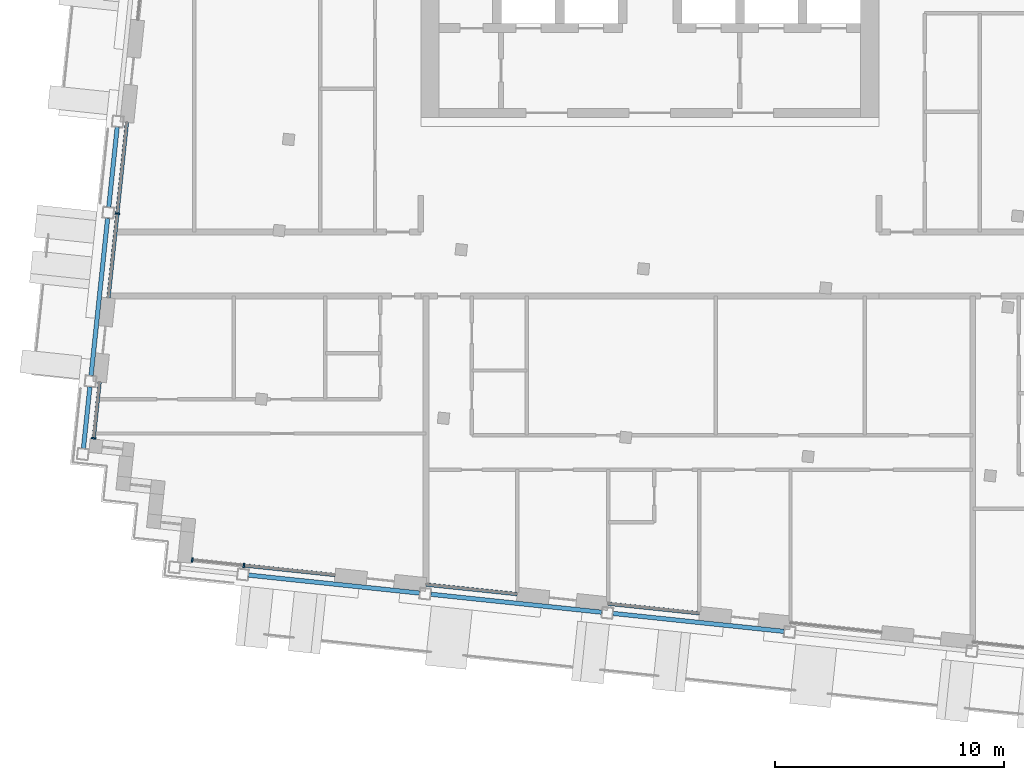
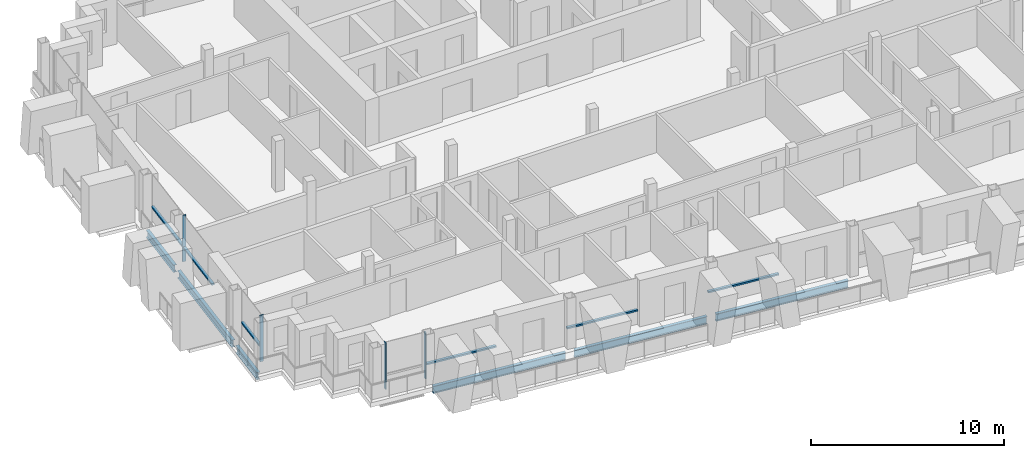
# One storey, part 2 of 16: 10 members, 6 beams, 5 elements without a shape of their own.
"""IFC4 building model written with IfcOpenShell, lengths in metres."""

from ifc_helpers import new_model, si_unit, direction, frame, origin, origin_2d, place, context, subcontext, project, spatial, rectangle, i_section, extrude, material, material_profile, profile_set, type_object, element, aggregate, save


model = new_model("IFC4")

# Units and contexts
model_context = context("Model", 3, precision=1e-05, world=origin(), true_north=direction((0.0, 1.0)))
body_context = subcontext(model_context, "Body", "Model", "MODEL_VIEW")
ifc_project = project(units=[si_unit("LENGTHUNIT", "METRE"), si_unit("AREAUNIT", "SQUARE_METRE"), si_unit("VOLUMEUNIT", "CUBIC_METRE"), si_unit("PLANEANGLEUNIT", "RADIAN"), si_unit("MASSUNIT", "GRAM", prefix="KILO")], contexts=[model_context])

# Site, building, storey
site_placement = place(None, origin())
site = spatial("IfcSite", under=ifc_project, at=site_placement, CompositionType="ELEMENT")
building_placement = place(site_placement, origin())
building = spatial("IfcBuilding", under=site, at=building_placement, Name="Vidyagriha Tower", CompositionType="ELEMENT")
storey_placement = place(building_placement, frame((0.0, 0.0, 253.10009765625)))
storey = spatial("IfcBuildingStorey", under=building, at=storey_placement, Name="L65", CompositionType="ELEMENT", Elevation=253.10009765625)

# Beams
ifc_material_1 = material(Name="Steel ASTM A992 Grade 50", Category="steel")
ifc_material_profile_1 = material_profile(ifc_material_1, i_section(OverallWidth=0.19189453125, OverallDepth=0.46240234375, WebThickness=0.010498046875, FlangeThickness=0.017578125, at=origin_2d()), Name="W18X60")
ifc_profile_set_1 = profile_set([ifc_material_profile_1], Name="Steel ASTM A992 Grade 50")
beam_type = type_object("IfcBeamType", Name="Edge beam W18X60", PredefinedType="SPANDREL", material=ifc_profile_set_1)
for number, where, z_axis, x_axis, name in (
    (1, (-17.519775390625, -13.582275390625, -0.51123046875), (0.994522384662, -0.104523807841, 0.0), (0.104523807841, 0.994522384662, 0.0), "st-beam-L65-S02"),
    (2, (-9.563720703125, -14.418701171875, -0.51123046875), (0.994525767953, -0.104491611519, 0.0), (0.104491611519, 0.994525767953, 0.0), "st-beam-L65-S03"),
    (3, (-1.607421875, -15.2548828125, -0.51123046875), (0.994522384662, -0.104523807841, 0.0), (0.104523807841, 0.994522384662, 0.0), "st-beam-L65-S04"),
):
    element("IfcBeam", number, at=place(storey_placement, frame(where, z_axis=z_axis, x_axis=x_axis)), inside=storey, type_object=beam_type, Name=name, PredefinedType="SPANDREL", context=body_context, shape_type="SweptSolid", body=[
        extrude(i_section(OverallWidth=0.19189453125, OverallDepth=0.46240234375, WebThickness=0.010498046875, FlangeThickness=0.017578125, at=origin_2d()), origin(), (0.0, 0.0, 1.0), 7.5),
    ])
beam_1_placement = place(storey_placement, frame((-24.730712890625, -8.04833984375, -0.51123046875), z_axis=(0.104524753323, 0.994522285292, 0.0), x_axis=(-0.994522285292, 0.104524753323, 0.0)))
element("IfcBeam", 4, at=beam_1_placement, inside=storey, type_object=beam_type, Name="st-beam-L65-W08", PredefinedType="SPANDREL", context=body_context, shape_type="SweptSolid", body=[
    extrude(i_section(OverallWidth=0.19189453125, OverallDepth=0.46240234375, WebThickness=0.010498046875, FlangeThickness=0.017578125, at=origin_2d()), origin(), (0.0, 0.0, 1.0), 2.7001953125),
])
beam_2_placement = place(storey_placement, frame((-24.396484375, -4.86572265625, -0.51123046875), z_axis=(0.104557694553, 0.994518822602, 0.0), x_axis=(-0.994518822602, 0.104557694553, 0.0)))
element("IfcBeam", 5, at=beam_2_placement, inside=storey, type_object=beam_type, Name="st-beam-L65-W09", PredefinedType="SPANDREL", context=body_context, shape_type="SweptSolid", body=[
    extrude(i_section(OverallWidth=0.19189453125, OverallDepth=0.46240234375, WebThickness=0.010498046875, FlangeThickness=0.017578125, at=origin_2d()), origin(), (0.0, 0.0, 1.0), 6.89990234375),
])
beam_3_placement = place(storey_placement, frame((-23.622802734375, 2.49365234375, -0.51123046875), z_axis=(0.104488712073, 0.994526072584, 0.0), x_axis=(-0.994526072584, 0.104488712073, 0.0)))
element("IfcBeam", 6, at=beam_3_placement, inside=storey, type_object=beam_type, Name="st-beam-L65-W10", PredefinedType="SPANDREL", context=body_context, shape_type="SweptSolid", body=[
    extrude(i_section(OverallWidth=0.19189453125, OverallDepth=0.46240234375, WebThickness=0.010498046875, FlangeThickness=0.017578125, at=origin_2d()), origin(), (0.0, 0.0, 1.0), 3.5),
])

# Curtain wall, member
ifc_material_2 = material(Name="Aluminium and glass curtain wall", Category="aluminium")
curtain_wall_type = type_object("IfcCurtainWallType", Name="Dwelling skin unitised curtain wall", PredefinedType="USERDEFINED", material=ifc_material_2)
curtain_wall_1_placement = place(storey_placement, origin())
curtain_wall_1 = element("IfcCurtainWall", 7, at=curtain_wall_1_placement, inside=storey, type_object=curtain_wall_type, Name="CW1 dwelling skin", ObjectType="UNITISED", PredefinedType="USERDEFINED")
ifc_material_3 = material(Name="Aluminium black anodised", Category="aluminium")
ifc_material_profile_2 = material_profile(ifc_material_3, rectangle(XDim=0.199951171875, YDim=0.070068359375, at=origin_2d()), Name="Mullion 70x200 black aluminium")
ifc_profile_set_2 = profile_set([ifc_material_profile_2], Name="Aluminium black anodised")
member_type_1 = type_object("IfcMemberType", Name="Mullion 70x200 black aluminium", PredefinedType="MULLION", material=ifc_profile_set_2)
member_1_placement = place(storey_placement, frame((-23.251220703125, 2.203369140625, 0.0), z_axis=(0.0, 0.0, 1.0), x_axis=(0.994521452706, -0.10453267483, 0.0)))
member_1 = element("IfcMember", 8, at=member_1_placement, type_object=member_type_1, Name="CW1 mullion 2", PredefinedType="MULLION", context=body_context, shape_type="SweptSolid", body=[
    extrude(rectangle(XDim=0.199951171875, YDim=0.070068359375, at=origin_2d()), origin(), (0.0, 0.0, 1.0), 2.919921875),
])

curtain_wall_2_placement = place(storey_placement, origin())
curtain_wall_2 = element("IfcCurtainWall", 9, at=curtain_wall_2_placement, inside=storey, type_object=curtain_wall_type, Name="CW1 dwelling skin", ObjectType="UNITISED", PredefinedType="USERDEFINED")
member_2_placement = place(storey_placement, frame((-24.2822265625, -7.60791015625, 0.0), z_axis=(0.0, 0.0, 1.0), x_axis=(0.994523191389, -0.10451613172, 0.0)))
member_2 = element("IfcMember", 10, at=member_2_placement, type_object=member_type_1, Name="CW1 mullion 2", PredefinedType="MULLION", context=body_context, shape_type="SweptSolid", body=[
    extrude(rectangle(XDim=0.199951171875, YDim=0.070068359375, at=origin_2d()), origin(), (0.0, 0.0, 1.0), 2.919921875),
])

# Curtain wall, members
curtain_wall_3_placement = place(storey_placement, origin())
curtain_wall_3 = element("IfcCurtainWall", 11, at=curtain_wall_3_placement, inside=storey, type_object=curtain_wall_type, Name="CW1 dwelling skin", ObjectType="UNITISED", PredefinedType="USERDEFINED")
member_3_placement = place(storey_placement, frame((-19.979248046875, -12.921630859375, 0.0), z_axis=(0.0, 0.0, 1.0), x_axis=(0.104523661385, 0.994522400055, 0.0)))
member_3 = element("IfcMember", 12, at=member_3_placement, type_object=member_type_1, Name="CW1 mullion 1", PredefinedType="MULLION", context=body_context, shape_type="SweptSolid", body=[
    extrude(rectangle(XDim=0.199951171875, YDim=0.070068359375, at=origin_2d()), origin(), (0.0, 0.0, 1.0), 2.919921875),
])
member_4_placement = place(storey_placement, frame((-17.7265625, -13.158447265625, 0.0), z_axis=(0.0, 0.0, 1.0), x_axis=(0.104523661385, 0.994522400055, 0.0)))
member_4 = element("IfcMember", 13, at=member_4_placement, type_object=member_type_1, Name="CW1 mullion 2", PredefinedType="MULLION", context=body_context, shape_type="SweptSolid", body=[
    extrude(rectangle(XDim=0.199951171875, YDim=0.070068359375, at=origin_2d()), origin(), (0.0, 0.0, 1.0), 2.919921875),
])

# Member
ifc_material_4 = material(Name="Aluminium black anodised", Category="aluminium")
ifc_material_profile_3 = material_profile(ifc_material_4, rectangle(XDim=0.159912109375, YDim=0.10009765625, at=origin_2d()), Name="Transom 100x160 black aluminium")
ifc_profile_set_3 = profile_set([ifc_material_profile_3], Name="Aluminium black anodised")
member_type_2 = type_object("IfcMemberType", Name="Transom 100x160 black aluminium", PredefinedType="USERDEFINED", material=ifc_profile_set_3)
member_5_placement = place(storey_placement, frame((-22.8330078125, 6.181396484375, 0.89990234375), z_axis=(-0.104550167438, -0.994519613929, 0.0), x_axis=(0.994519613929, -0.104550167438, 0.0)))
member_5 = element("IfcMember", 14, at=member_5_placement, type_object=member_type_2, Name="CW1 transom 1.1", ObjectType="TRANSOM", PredefinedType="USERDEFINED", context=body_context, shape_type="SweptSolid", body=[
    extrude(rectangle(XDim=0.159912109375, YDim=0.10009765625, at=origin_2d()), origin(), (0.0, 0.0, 1.0), 3.965087890625),
])

member_6_placement = place(storey_placement, frame((-23.2548828125, 2.16845703125, 0.89990234375), z_axis=(-0.104521800028, -0.99452259568, 0.0), x_axis=(0.99452259568, -0.104521800028, 0.0)))
member_6 = element("IfcMember", 15, at=member_6_placement, type_object=member_type_2, Name="CW1 transom 2.1", ObjectType="TRANSOM", PredefinedType="USERDEFINED", context=body_context, shape_type="SweptSolid", body=[
    extrude(rectangle(XDim=0.159912109375, YDim=0.10009765625, at=origin_2d()), origin(), (0.0, 0.0, 1.0), 3.664794921875),
])

aggregate(curtain_wall_1, [member_1, member_5, member_6])

member_7_placement = place(storey_placement, frame((-24.024658203125, -5.15625, 0.89990234375), z_axis=(-0.104486049741, -0.994526352295, 0.0), x_axis=(0.994526352295, -0.104486049741, 0.0)))
member_7 = element("IfcMember", 16, at=member_7_placement, type_object=member_type_2, Name="CW1 transom 1.1", ObjectType="TRANSOM", PredefinedType="USERDEFINED", context=body_context, shape_type="SweptSolid", body=[
    extrude(rectangle(XDim=0.159912109375, YDim=0.10009765625, at=origin_2d()), origin(), (0.0, 0.0, 1.0), 2.429931640625),
])

aggregate(curtain_wall_2, [member_2, member_7])

member_8_placement = place(storey_placement, frame((-17.69189453125, -13.162109375, 0.89990234375), z_axis=(0.994526014245, -0.104489267346, 0.0), x_axis=(0.104489267346, 0.994526014245, 0.0)))
member_8 = element("IfcMember", 17, at=member_8_placement, type_object=member_type_2, Name="CW1 transom 2.1", ObjectType="TRANSOM", PredefinedType="USERDEFINED", context=body_context, shape_type="SweptSolid", body=[
    extrude(rectangle(XDim=0.159912109375, YDim=0.10009765625, at=origin_2d()), origin(), (0.0, 0.0, 1.0), 3.965087890625),
])

aggregate(curtain_wall_3, [member_3, member_4, member_8])

# Curtain wall, member
curtain_wall_4_placement = place(storey_placement, origin())
curtain_wall_4 = element("IfcCurtainWall", 18, at=curtain_wall_4_placement, inside=storey, type_object=curtain_wall_type, Name="CW1 dwelling skin", ObjectType="UNITISED", PredefinedType="USERDEFINED")
member_9_placement = place(storey_placement, frame((-9.7705078125, -13.99462890625, 0.89990234375), z_axis=(0.99451982373, -0.104548171712, 0.0), x_axis=(0.104548171712, 0.99451982373, 0.0)))
member_9 = element("IfcMember", 19, at=member_9_placement, type_object=member_type_2, Name="CW1 transom 1.1", ObjectType="TRANSOM", PredefinedType="USERDEFINED", context=body_context, shape_type="SweptSolid", body=[
    extrude(rectangle(XDim=0.159912109375, YDim=0.10009765625, at=origin_2d()), origin(), (0.0, 0.0, 1.0), 4.000244140625),
])
aggregate(curtain_wall_4, [member_9])

curtain_wall_5_placement = place(storey_placement, origin())
curtain_wall_5 = element("IfcCurtainWall", 20, at=curtain_wall_5_placement, inside=storey, type_object=curtain_wall_type, Name="CW1 dwelling skin", ObjectType="UNITISED", PredefinedType="USERDEFINED")
member_10_placement = place(storey_placement, frame((-1.814208984375, -14.830810546875, 0.89990234375), z_axis=(0.994519156568, -0.104554517933, 0.0), x_axis=(0.104554517933, 0.994519156568, 0.0)))
member_10 = element("IfcMember", 21, at=member_10_placement, type_object=member_type_2, Name="CW1 transom 1.1", ObjectType="TRANSOM", PredefinedType="USERDEFINED", context=body_context, shape_type="SweptSolid", body=[
    extrude(rectangle(XDim=0.159912109375, YDim=0.10009765625, at=origin_2d()), origin(), (0.0, 0.0, 1.0), 4.0),
])
aggregate(curtain_wall_5, [member_10])

save(model, "model.ifc")
